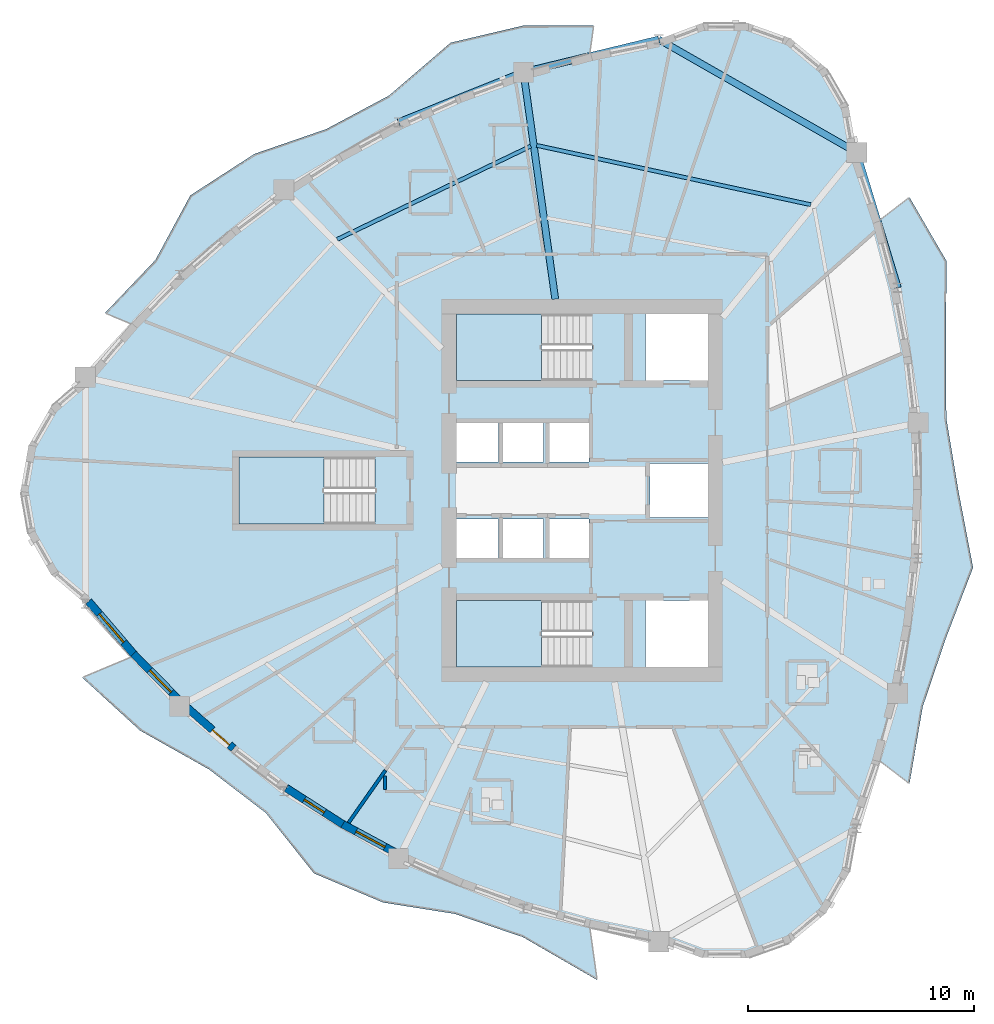
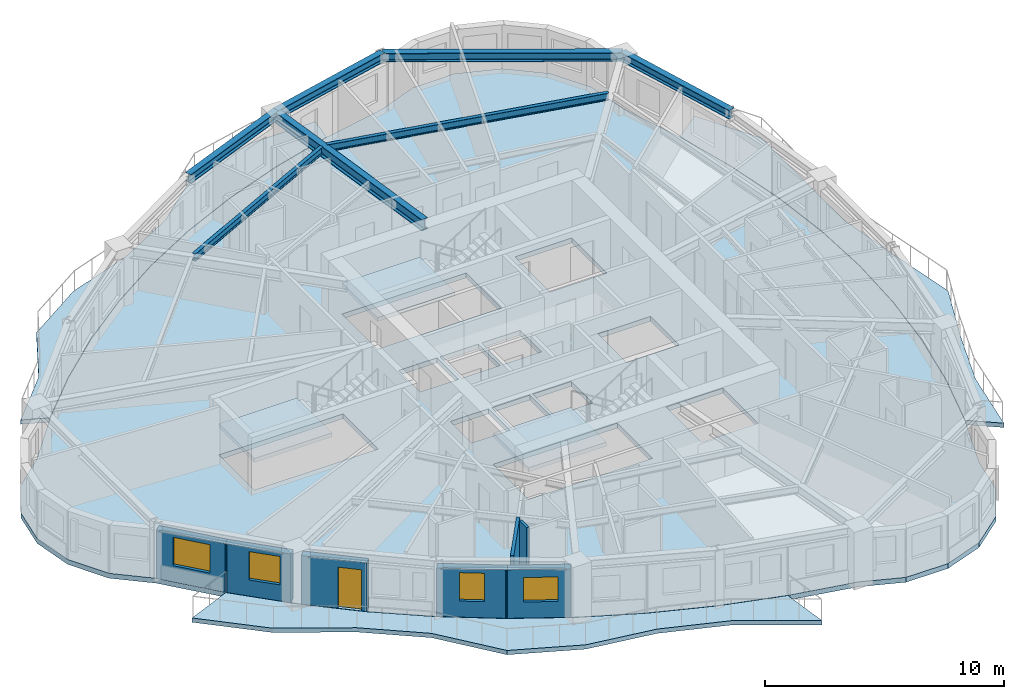
# One storey, part 2 of 13: 7 beams, 7 slabs, 7 walls, 4 windows, 1 door, 5 openings, 3 elements without a shape of their own.
"""IFC4 building model written with IfcOpenShell, lengths in metres."""

from ifc_helpers import new_model, si_unit, direction, frame, frame_2d, origin, origin_2d, place, context, subcontext, project, spatial, polyline, rectangle, i_section, outline, extrude, source, transform, mapped, material, layer, layer_set, material_profile, profile_set, type_object, element, fill, aggregate, save


model = new_model("IFC4")

# Units and contexts
model_context = context("Model", 3, precision=1e-05, world=origin(), true_north=direction((0.0, 1.0)))
body_context = subcontext(model_context, "Body", "Model", "MODEL_VIEW")
ifc_project = project(units=[si_unit("LENGTHUNIT", "METRE"), si_unit("AREAUNIT", "SQUARE_METRE"), si_unit("VOLUMEUNIT", "CUBIC_METRE"), si_unit("PLANEANGLEUNIT", "RADIAN"), si_unit("MASSUNIT", "GRAM", prefix="KILO")], contexts=[model_context])

# Site, building, storey
site_placement = place(None, origin())
site = spatial("IfcSite", under=ifc_project, at=site_placement, CompositionType="ELEMENT")
building_placement = place(site_placement, origin())
building = spatial("IfcBuilding", under=site, at=building_placement, Name="Qafzar Sky-Pleat Residences", CompositionType="ELEMENT")
storey_placement = place(building_placement, frame((0.0, 0.0, 102.39990234375)))
storey = spatial("IfcBuildingStorey", under=building, at=storey_placement, Name="L30", CompositionType="ELEMENT", Elevation=102.39990234375)

# Beams
ifc_material_1 = material(Name="Steel S355", Category="steel")
ifc_material_profile_1 = material_profile(ifc_material_1, i_section(OverallWidth=0.300048828125, OverallDepth=0.449951171875, WebThickness=0.013916015625, FlangeThickness=0.02587890625, FilletRadius=0.027099609375, at=origin_2d()), Name="HEB 450")
ifc_profile_set_1 = profile_set([ifc_material_profile_1], Name="Steel S355")
beam_type_1 = type_object("IfcBeamType", Name="BM-SPAN-HEB450", PredefinedType="SPANDREL", material=ifc_profile_set_1)
shared_shape_1 = source(origin(), body_context, "Body", "SweptSolid", [
    extrude(i_section(OverallWidth=0.300048828125, OverallDepth=0.449951171875, WebThickness=0.013916015625, FlangeThickness=0.02587890625, FilletRadius=0.027099609375, at=origin_2d()), origin(), (0.0, 0.0, 1.0), 5.9443359375),
])
beam_1_placement = place(storey_placement, frame((27.761962890625, 44.473876953125, 2.72314453125), z_axis=(-0.927974486614, -0.372643733604, 0.0), x_axis=(0.372643733604, -0.927974486614, 0.0)))
element("IfcBeam", 1, at=beam_1_placement, inside=storey, type_object=beam_type_1, Name="L30 Perimeter Spandrel Beam 15", PredefinedType="SPANDREL", context=body_context, shape_type="MappedRepresentation", body=[
    mapped(shared_shape_1, transform((0.0, 0.0, 0.0), x_axis=(1.0, 0.0, 0.0), y_axis=(0.0, 1.0, 0.0), z_axis=(0.0, 0.0, 1.0), scale=1.0)),
])
shared_shape_2 = source(origin(), body_context, "Body", "SweptSolid", [
    extrude(i_section(OverallWidth=0.300048828125, OverallDepth=0.449951171875, WebThickness=0.013916015625, FlangeThickness=0.02587890625, FilletRadius=0.027099609375, at=origin_2d()), origin(), (0.0, 0.0, 1.0), 6.142333984375),
])
beam_2_placement = place(storey_placement, frame((33.731689453125, 45.919677734375, 2.72314453125), z_axis=(-0.971902480603, -0.235383874126, 0.0), x_axis=(0.235383874126, -0.971902480603, 0.0)))
element("IfcBeam", 2, at=beam_2_placement, inside=storey, type_object=beam_type_1, Name="L30 Perimeter Spandrel Beam 14", PredefinedType="SPANDREL", context=body_context, shape_type="MappedRepresentation", body=[
    mapped(shared_shape_2, transform((0.0, 0.0, 0.0), x_axis=(1.0, 0.0, 0.0), y_axis=(0.0, 1.0, 0.0), z_axis=(0.0, 0.0, 1.0), scale=1.0)),
])
shared_shape_3 = source(origin(), body_context, "Body", "SweptSolid", [
    extrude(i_section(OverallWidth=0.300048828125, OverallDepth=0.449951171875, WebThickness=0.013916015625, FlangeThickness=0.02587890625, FilletRadius=0.027099609375, at=origin_2d()), origin(), (0.0, 0.0, 1.0), 10.072509765625),
])
beam_3_placement = place(storey_placement, frame((42.4775390625, 40.92333984375, 2.72314453125), z_axis=(-0.868298326114, 0.496042353905, 0.0), x_axis=(-0.496042353905, -0.868298326114, 0.0)))
element("IfcBeam", 3, at=beam_3_placement, inside=storey, type_object=beam_type_1, Name="L30 Perimeter Spandrel Beam 13", PredefinedType="SPANDREL", context=body_context, shape_type="MappedRepresentation", body=[
    mapped(shared_shape_3, transform((0.0, 0.0, 0.0), x_axis=(1.0, 0.0, 0.0), y_axis=(0.0, 1.0, 0.0), z_axis=(0.0, 0.0, 1.0), scale=1.0)),
])
shared_shape_4 = source(origin(), body_context, "Body", "SweptSolid", [
    extrude(i_section(OverallWidth=0.300048828125, OverallDepth=0.449951171875, WebThickness=0.013916015625, FlangeThickness=0.02587890625, FilletRadius=0.027099609375, at=origin_2d()), origin(), (0.0, 0.0, 1.0), 6.239013671875),
])
beam_4_placement = place(storey_placement, frame((44.292236328125, 34.9541015625, 2.72314453125), z_axis=(-0.290864189028, 0.956764351103, 0.0), x_axis=(-0.956764351103, -0.290864189028, 0.0)))
element("IfcBeam", 4, at=beam_4_placement, inside=storey, type_object=beam_type_1, Name="L30 Perimeter Spandrel Beam 12", PredefinedType="SPANDREL", context=body_context, shape_type="MappedRepresentation", body=[
    mapped(shared_shape_4, transform((0.0, 0.0, 0.0), x_axis=(1.0, 0.0, 0.0), y_axis=(0.0, 1.0, 0.0), z_axis=(0.0, 0.0, 1.0), scale=1.0)),
])
ifc_material_profile_2 = material_profile(ifc_material_1, i_section(OverallWidth=0.300048828125, OverallDepth=0.550048828125, WebThickness=0.014892578125, FlangeThickness=0.029052734375, FilletRadius=0.027099609375, at=origin_2d()), Name="HEB 550")
ifc_profile_set_2 = profile_set([ifc_material_profile_2], Name="Steel S355")
beam_type_2 = type_object("IfcBeamType", Name="BM-GIRD-HEB550", PredefinedType="BEAM", material=ifc_profile_set_2)
shared_shape_5 = source(origin(), body_context, "Body", "SweptSolid", [
    extrude(i_section(OverallWidth=0.300048828125, OverallDepth=0.550048828125, WebThickness=0.014892578125, FlangeThickness=0.029052734375, FilletRadius=0.027099609375, at=origin_2d()), origin(), (0.0, 0.0, 1.0), 10.121826171875),
])
beam_5_placement = place(storey_placement, frame((27.761962890625, 44.473876953125, 2.673095703125), z_axis=(0.138739631442, -0.99032889217, 0.0), x_axis=(0.99032889217, 0.138739631442, 0.0)))
element("IfcBeam", 5, at=beam_5_placement, inside=storey, type_object=beam_type_2, Name="L30 Radial Floor Girder 15", PredefinedType="BEAM", context=body_context, shape_type="MappedRepresentation", body=[
    mapped(shared_shape_5, transform((0.0, 0.0, 0.0), x_axis=(1.0, 0.0, 0.0), y_axis=(0.0, 1.0, 0.0), z_axis=(0.0, 0.0, 1.0), scale=1.0)),
])
ifc_material_profile_3 = material_profile(ifc_material_1, i_section(OverallWidth=0.169921875, OverallDepth=0.360107421875, WebThickness=0.008056640625, FlangeThickness=0.0126953125, FilletRadius=0.01806640625, at=origin_2d()), Name="IPE 360")
ifc_profile_set_3 = profile_set([ifc_material_profile_3], Name="Steel S355")
beam_type_3 = type_object("IfcBeamType", Name="BM-JST-IPE360", PredefinedType="JOIST", material=ifc_profile_set_3)
shared_shape_6 = source(origin(), body_context, "Body", "SweptSolid", [
    extrude(i_section(OverallWidth=0.169921875, OverallDepth=0.360107421875, WebThickness=0.008056640625, FlangeThickness=0.0126953125, FilletRadius=0.01806640625, at=origin_2d()), origin(), (0.0, 0.0, 1.0), 12.3857421875),
])
beam_6_placement = place(storey_placement, frame((40.44873046875, 38.617919921875, 2.76806640625), z_axis=(-0.977372880671, 0.211523644371, 0.0), x_axis=(-0.211523644371, -0.977372880671, 0.0)))
element("IfcBeam", 6, at=beam_6_placement, inside=storey, type_object=beam_type_3, Name="L30 Outer Secondary Floor Joist 7", PredefinedType="JOIST", context=body_context, shape_type="MappedRepresentation", body=[
    mapped(shared_shape_6, transform((0.0, 0.0, 0.0), x_axis=(1.0, 0.0, 0.0), y_axis=(0.0, 1.0, 0.0), z_axis=(0.0, 0.0, 1.0), scale=1.0)),
])
shared_shape_7 = source(origin(), body_context, "Body", "SweptSolid", [
    extrude(i_section(OverallWidth=0.169921875, OverallDepth=0.360107421875, WebThickness=0.008056640625, FlangeThickness=0.0126953125, FilletRadius=0.01806640625, at=origin_2d()), origin(), (0.0, 0.0, 1.0), 9.49658203125),
])
beam_7_placement = place(storey_placement, frame((28.089599609375, 41.20751953125, 2.76806640625), z_axis=(-0.900871742124, -0.434085365155, 0.0), x_axis=(0.434085365155, -0.900871742124, 0.0)))
element("IfcBeam", 7, at=beam_7_placement, inside=storey, type_object=beam_type_3, Name="L30 Outer Secondary Floor Joist 8", PredefinedType="JOIST", context=body_context, shape_type="MappedRepresentation", body=[
    mapped(shared_shape_7, transform((0.0, 0.0, 0.0), x_axis=(1.0, 0.0, 0.0), y_axis=(0.0, 1.0, 0.0), z_axis=(0.0, 0.0, 1.0), scale=1.0)),
])

# Slabs
ifc_material_2 = material(Name="Concrete C40/50", Category="concrete")
ifc_layer_1 = layer(ifc_material_2, 0.219970703125)
ifc_layer_set_1 = layer_set([ifc_layer_1], Name="Concrete C40/50")
slab_type_1 = type_object("IfcSlabType", Name="SLAB-BAL-220", PredefinedType="USERDEFINED", material=ifc_layer_set_1)
slab_1_placement = place(storey_placement, frame((0.0, 0.0, -0.219970703125)))
element("IfcSlab", 8, at=slab_1_placement, inside=storey, type_object=slab_type_1, Name="L30 Pleated Stone Balcony 1", ObjectType="BALCONY", PredefinedType="USERDEFINED", context=body_context, shape_type="SweptSolid", body=[
    extrude(outline(polyline([(44.302734375, 17.040283203125), (44.87060546875, 20.026611328125), (45.211181640625, 23.01318359375), (45.324951171875, 26.0), (45.211181640625, 28.98681640625), (44.87060546875, 31.973388671875), (44.302734375, 34.959716796875), (43.5078125, 37.94580078125), (44.805419921875, 38.945556640625), (46.439208984375, 36.134033203125), (46.414794921875, 32.52001953125), (46.43115234375, 29.198486328125), (46.962890625, 26.0), (47.61328125, 22.596435546875), (46.414794921875, 19.47998046875), (45.3876953125, 16.44384765625), (44.805419921875, 13.054443359375), (43.5078125, 14.05419921875), (44.302734375, 17.040283203125)])), origin(), (0.0, 0.0, 1.0), 0.219970703125),
])
slab_2_placement = place(storey_placement, frame((0.0, 0.0, -0.219970703125)))
element("IfcSlab", 9, at=slab_2_placement, inside=storey, type_object=slab_type_1, Name="L30 Pleated Stone Balcony 2", ObjectType="BALCONY", PredefinedType="USERDEFINED", context=body_context, shape_type="SweptSolid", body=[
    extrude(outline(polyline([(27.76171875, 44.48583984375), (24.9453125, 43.474365234375), (22.241943359375, 42.27001953125), (19.652099609375, 40.873046875), (17.17578125, 39.283447265625), (14.813232421875, 37.501220703125), (12.564453125, 35.5263671875), (10.42919921875, 33.35888671875), (9.287353515625, 33.837158203125), (11.510986328125, 36.176513671875), (13.056640625, 39.033203125), (15.888427734375, 40.86328125), (19.046142578125, 41.95263671875), (21.828857421875, 43.437255859375), (24.5439453125, 45.770263671875), (27.735595703125, 46.523681640625), (30.86279296875, 46.531005859375), (30.69189453125, 45.304931640625), (27.76171875, 44.48583984375)])), origin(), (0.0, 0.0, 1.0), 0.219970703125),
])
slab_3_placement = place(storey_placement, frame((0.0, 0.0, -0.219970703125)))
element("IfcSlab", 10, at=slab_3_placement, inside=storey, type_object=slab_type_1, Name="L30 Pleated Stone Balcony 3", ObjectType="BALCONY", PredefinedType="USERDEFINED", context=body_context, shape_type="SweptSolid", body=[
    extrude(outline(polyline([(12.564453125, 16.4736328125), (14.813232421875, 14.498779296875), (17.17578125, 12.716552734375), (19.652099609375, 11.126953125), (22.241943359375, 9.72998046875), (24.9453125, 8.525634765625), (27.76171875, 7.51416015625), (30.69189453125, 6.695068359375), (31.013916015625, 4.38671875), (27.745849609375, 6.276123046875), (24.73193359375, 7.30615234375), (21.56201171875, 7.80859375), (18.51123046875, 9.094482421875), (16.393798828125, 11.7568359375), (13.88037109375, 13.685302734375), (10.830078125, 15.4033203125), (8.279541015625, 17.74072265625), (10.42919921875, 18.64111328125), (12.564453125, 16.4736328125)])), origin(), (0.0, 0.0, 1.0), 0.219970703125),
])
ifc_layer_2 = layer(ifc_material_2, 0.25)
ifc_layer_set_2 = layer_set([ifc_layer_2], Name="Concrete C40/50")
slab_type_2 = type_object("IfcSlabType", Name="SLAB-FLR-250", PredefinedType="FLOOR", material=ifc_layer_set_2)
slab_4_placement = place(storey_placement, frame((0.0, 0.0, -0.25)))
element("IfcSlab", 11, at=slab_4_placement, inside=storey, type_object=slab_type_2, Name="L30 Structural Floor Slab", PredefinedType="FLOOR", context=body_context, shape_type="SweptSolid", body=[
    extrude(outline(polyline([(8.41943359375, 30.996337890625), (6.899658203125, 29.701171875), (5.908935546875, 27.967041015625), (5.565185546875, 26.0), (5.908935546875, 24.032958984375), (6.899658203125, 22.298828125), (8.41943359375, 21.003662109375), (10.4404296875, 18.645751953125), (12.57470703125, 16.47998046875), (14.822265625, 14.5068359375), (17.18359375, 12.725830078125), (19.657958984375, 11.137451171875), (22.245849609375, 9.7412109375), (24.947265625, 8.53759765625), (27.761962890625, 7.526123046875), (30.690185546875, 6.70703125), (33.731689453125, 6.080322265625), (35.626953125, 5.37255859375), (37.64990234375, 5.35888671875), (39.5546875, 6.04052734375), (41.109130859375, 7.3349609375), (42.124755859375, 9.084716796875), (42.4775390625, 11.07666015625), (43.498291015625, 14.061279296875), (44.292236328125, 17.0458984375), (44.859375, 20.03076171875), (45.199462890625, 23.015380859375), (45.31298828125, 26.0), (45.199462890625, 28.984619140625), (44.859375, 31.96923828125), (44.292236328125, 34.9541015625), (43.498291015625, 37.938720703125), (42.4775390625, 40.92333984375), (42.124755859375, 42.915283203125), (41.109130859375, 44.6650390625), (39.5546875, 45.95947265625), (37.64990234375, 46.64111328125), (35.626953125, 46.62744140625), (33.731689453125, 45.919677734375), (30.690185546875, 45.29296875), (27.761962890625, 44.473876953125), (24.947265625, 43.46240234375), (22.245849609375, 42.2587890625), (19.657958984375, 40.862548828125), (17.18359375, 39.274169921875), (14.822265625, 37.4931640625), (12.57470703125, 35.52001953125), (10.4404296875, 33.354248046875), (8.41943359375, 30.996337890625)]), holes=[polyline([(30.797119140625, 21.14990234375), (24.800048828125, 21.14990234375), (24.800048828125, 18.199951171875), (30.797119140625, 18.199951171875), (30.797119140625, 21.14990234375)]), polyline([(30.797119140625, 33.800048828125), (24.800048828125, 33.800048828125), (24.800048828125, 30.85009765625), (30.797119140625, 30.85009765625), (30.797119140625, 33.800048828125)]), polyline([(21.197021484375, 27.47509765625), (15.199951171875, 27.47509765625), (15.199951171875, 24.52490234375), (21.197021484375, 24.52490234375), (21.197021484375, 27.47509765625)]), polyline([(24.800048828125, 22.949951171875), (26.64990234375, 22.949951171875), (26.64990234375, 24.75), (24.800048828125, 24.75), (24.800048828125, 22.949951171875)]), polyline([(26.800048828125, 22.949951171875), (28.64990234375, 22.949951171875), (28.64990234375, 24.75), (26.800048828125, 24.75), (26.800048828125, 22.949951171875)]), polyline([(28.800048828125, 22.949951171875), (30.64990234375, 22.949951171875), (30.64990234375, 24.75), (28.800048828125, 24.75), (28.800048828125, 22.949951171875)]), polyline([(24.800048828125, 27.25), (26.64990234375, 27.25), (26.64990234375, 29.050048828125), (24.800048828125, 29.050048828125), (24.800048828125, 27.25)]), polyline([(26.800048828125, 27.25), (28.64990234375, 27.25), (28.64990234375, 29.050048828125), (26.800048828125, 29.050048828125), (26.800048828125, 27.25)]), polyline([(28.800048828125, 27.25), (30.64990234375, 27.25), (30.64990234375, 29.050048828125), (28.800048828125, 29.050048828125), (28.800048828125, 27.25)]), polyline([(33.14990234375, 18.199951171875), (35.89990234375, 18.199951171875), (35.89990234375, 21.14990234375), (33.14990234375, 21.14990234375), (33.14990234375, 18.199951171875)]), polyline([(33.14990234375, 30.85009765625), (35.89990234375, 30.85009765625), (35.89990234375, 33.800048828125), (33.14990234375, 33.800048828125), (33.14990234375, 30.85009765625)]), polyline([(33.35009765625, 24.800048828125), (35.89990234375, 24.800048828125), (35.89990234375, 27.199951171875), (33.35009765625, 27.199951171875), (33.35009765625, 24.800048828125)])]), origin(), (0.0, 0.0, 1.0), 0.25),
])

# Stair, slab
stair_type = type_object("IfcStairType", Name="STAIR-H320", PredefinedType="HALF_TURN_STAIR", material=ifc_material_2)
stair_1_placement = place(storey_placement, origin())
stair_1 = element("IfcStair", 12, at=stair_1_placement, inside=storey, type_object=stair_type, Name="L30 Protected Exit Stair ST1", PredefinedType="HALF_TURN_STAIR")
ifc_layer_3 = layer(ifc_material_2, 0.199951171875)
ifc_layer_set_3 = layer_set([ifc_layer_3], Name="Concrete C40/50")
slab_type_3 = type_object("IfcSlabType", Name="SLAB-LANDING-200", PredefinedType="LANDING", material=ifc_layer_set_3)
slab_5_placement = place(storey_placement, frame((0.0, 0.0, 1.400146484375)))
slab_5 = element("IfcSlab", 13, at=slab_5_placement, type_object=slab_type_3, Name="ST1 landing 1", PredefinedType="LANDING", context=body_context, shape_type="SweptSolid", body=[
    extrude(outline(polyline([(28.56005859375, 21.14990234375), (24.800048828125, 21.14990234375), (24.800048828125, 18.199951171875), (28.56005859375, 18.199951171875), (28.56005859375, 21.14990234375)])), origin(), (0.0, 0.0, 1.0), 0.199951171875),
])
aggregate(stair_1, [slab_5])

stair_2_placement = place(storey_placement, origin())
stair_2 = element("IfcStair", 14, at=stair_2_placement, inside=storey, type_object=stair_type, Name="L30 Protected Exit Stair ST2", PredefinedType="HALF_TURN_STAIR")
slab_6_placement = place(storey_placement, frame((0.0, 0.0, 1.400146484375)))
slab_6 = element("IfcSlab", 15, at=slab_6_placement, type_object=slab_type_3, Name="ST2 landing 1", PredefinedType="LANDING", context=body_context, shape_type="SweptSolid", body=[
    extrude(outline(polyline([(28.56005859375, 33.800048828125), (24.800048828125, 33.800048828125), (24.800048828125, 30.85009765625), (28.56005859375, 30.85009765625), (28.56005859375, 33.800048828125)])), origin(), (0.0, 0.0, 1.0), 0.199951171875),
])
aggregate(stair_2, [slab_6])

stair_3_placement = place(storey_placement, origin())
stair_3 = element("IfcStair", 16, at=stair_3_placement, inside=storey, type_object=stair_type, Name="L30 Protected Exit Stair ST3", PredefinedType="HALF_TURN_STAIR")
slab_7_placement = place(storey_placement, frame((0.0, 0.0, 1.400146484375)))
slab_7 = element("IfcSlab", 17, at=slab_7_placement, type_object=slab_type_3, Name="ST3 landing 1", PredefinedType="LANDING", context=body_context, shape_type="SweptSolid", body=[
    extrude(outline(polyline([(18.9599609375, 27.47509765625), (15.199951171875, 27.47509765625), (15.199951171875, 24.52490234375), (18.9599609375, 24.52490234375), (18.9599609375, 27.47509765625)])), origin(), (0.0, 0.0, 1.0), 0.199951171875),
])
aggregate(stair_3, [slab_7])

# Walls
ifc_material_3 = material(Name="Acoustic gypsum plasterboard partition", Category="gypsum")
ifc_layer_4 = layer(ifc_material_3, 0.14501953125)
ifc_layer_set_4 = layer_set([ifc_layer_4], Name="Acoustic gypsum plasterboard partition")
wall_type_1 = type_object("IfcWallType", Name="PART-UNIT-145", PredefinedType="PARTITIONING", material=ifc_layer_set_4)
wall_1_placement = place(storey_placement, frame((20.04443359375, 11.333984375, 0.0), z_axis=(0.0, 0.0, 1.0), x_axis=(0.575027113175, 0.818134352728, 0.0)))
element("IfcWall", 18, at=wall_1_placement, inside=storey, type_object=wall_type_1, Name="L30 Partition Wall PART-L30-PW-054", PredefinedType="PARTITIONING", context=body_context, shape_type="SweptSolid", body=[
    extrude(rectangle(XDim=2.81494140625, YDim=0.14501953125, at=frame_2d((1.407470703125, 0.0))), origin(), (0.0, 0.0, 1.0), 2.9501953125),
])
ifc_material_4 = material(Name="Moisture-resistant gypsum partition", Category="gypsum")
ifc_layer_5 = layer(ifc_material_4, 0.1298828125)
ifc_layer_set_5 = layer_set([ifc_layer_5], Name="Moisture-resistant gypsum partition")
wall_type_2 = type_object("IfcWallType", Name="PART-WET-130", PredefinedType="PARTITIONING", material=ifc_layer_set_5)
wall_2_placement = place(storey_placement, frame((21.64794921875, 12.7890625, 0.0), z_axis=(0.0, 0.0, 1.0), x_axis=(0.0, 1.0, 0.0)))
element("IfcWall", 19, at=wall_2_placement, inside=storey, type_object=wall_type_2, Name="L30 Partition Wall PART-L30-PW-085", PredefinedType="PARTITIONING", context=body_context, shape_type="SweptSolid", body=[
    extrude(rectangle(XDim=0.600341796875, YDim=0.1298828125, at=frame_2d((0.30029296875, 0.0))), origin(), (0.0, 0.0, 1.0), 2.9501953125),
])

# Wall, opening, window
ifc_material_5 = material(Name="Precast concrete C40/50 with honed Riyadh limestone", Category="concrete")
ifc_layer_6 = layer(ifc_material_5, 0.340087890625)
ifc_layer_set_6 = layer_set([ifc_layer_6], Name="Precast concrete C40/50 with honed Riyadh limestone")
wall_type_3 = type_object("IfcWallType", Name="WALL-EXT-340", PredefinedType="SOLIDWALL", material=ifc_layer_set_6)
wall_3_placement = place(storey_placement, frame((8.5615234375, 21.09912109375, 0.0), z_axis=(0.0, 0.0, 1.0), x_axis=(0.650778499588, -0.75926763692, 0.0)))
wall_3 = element("IfcWall", 20, at=wall_3_placement, inside=storey, type_object=wall_type_3, Name="L30 Limestone Facade Wall 7", PredefinedType="SOLIDWALL", context=body_context, shape_type="SweptSolid", body=[
    extrude(rectangle(XDim=3.12353515625, YDim=0.340087890625, at=frame_2d((1.561767578125, 0.0))), origin(), (0.0, 0.0, 1.0), 2.47998046875),
])
opening_1_placement = place(wall_3_placement, frame((0.726806640625, 0.0, 0.820068359375)))
opening_1 = element("IfcOpeningElement", 21, at=opening_1_placement, cuts=wall_3, Name="Opening WN-02", PredefinedType="OPENING", context=body_context, shape_type="SweptSolid", body=[
    extrude(rectangle(XDim=1.64990234375, YDim=1.449951171875, at=frame_2d((0.824951171875, 0.72509765625))), frame((0.0, 0.18017578125, 0.0), z_axis=(0.0, -1.0, 0.0), x_axis=(1.0, 0.0, 0.0)), (0.0, 0.0, 1.0), 0.360107421875),
])
ifc_material_6 = material(Name="Solar-control low-E glass in bronze aluminium frame", Category="glass")
window_type_1 = type_object("IfcWindowType", Name="WIN-02", PartitioningType="DOUBLE_PANEL_VERTICAL", PredefinedType="WINDOW", material=ifc_material_6)
shared_shape_8 = source(origin(), body_context, "Body", "SweptSolid", [
    extrude(rectangle(XDim=1.64990234375, YDim=1.449951171875, at=frame_2d((0.824951171875, 0.72509765625))), frame((0.0, 0.030029296875, 0.0), z_axis=(0.0, -1.0, 0.0), x_axis=(1.0, 0.0, 0.0)), (0.0, 0.0, 1.0), 0.06005859375),
])
window_1_placement = place(opening_1_placement, origin())
window_1 = element("IfcWindow", 22, at=window_1_placement, inside=storey, type_object=window_type_1, Name="L30 Punched Facade Window 07", OverallHeight=1.449951171875, OverallWidth=1.64990234375, PartitioningType="SINGLE_PANEL", PredefinedType="WINDOW", context=body_context, shape_type="MappedRepresentation", body=[
    mapped(shared_shape_8, transform((0.0, 0.0, 0.0), x_axis=(1.0, 0.0, 0.0), y_axis=(0.0, 1.0, 0.0), z_axis=(0.0, 0.0, 1.0), scale=1.0)),
])
fill(opening_1, window_1)

wall_4_placement = place(storey_placement, frame((10.534912109375, 18.7919921875, 0.0), z_axis=(0.0, 0.0, 1.0), x_axis=(0.701902141766, -0.7122733909, 0.0)))
wall_4 = element("IfcWall", 23, at=wall_4_placement, inside=storey, type_object=wall_type_3, Name="L30 Limestone Facade Wall 8", PredefinedType="SOLIDWALL", context=body_context, shape_type="SweptSolid", body=[
    extrude(rectangle(XDim=2.848388671875, YDim=0.340087890625, at=frame_2d((1.42431640625, 0.0))), origin(), (0.0, 0.0, 1.0), 2.47998046875),
])
opening_2_placement = place(wall_4_placement, frame((1.029052734375, 0.0, 0.820068359375)))
opening_2 = element("IfcOpeningElement", 24, at=opening_2_placement, cuts=wall_4, Name="Opening WN-04", PredefinedType="OPENING", context=body_context, shape_type="SweptSolid", body=[
    extrude(rectangle(XDim=1.35009765625, YDim=1.449951171875, at=frame_2d((0.675048828125, 0.72509765625))), frame((0.0, 0.18017578125, 0.0), z_axis=(0.0, -1.0, 0.0), x_axis=(1.0, 0.0, 0.0)), (0.0, 0.0, 1.0), 0.360107421875),
])
window_type_2 = type_object("IfcWindowType", Name="WIN-04", PartitioningType="SINGLE_PANEL", PredefinedType="WINDOW", material=ifc_material_6)
shared_shape_9 = source(origin(), body_context, "Body", "SweptSolid", [
    extrude(rectangle(XDim=1.35009765625, YDim=1.449951171875, at=frame_2d((0.675048828125, 0.72509765625))), frame((0.0, 0.030029296875, 0.0), z_axis=(0.0, -1.0, 0.0), x_axis=(1.0, 0.0, 0.0)), (0.0, 0.0, 1.0), 0.06005859375),
])
window_2_placement = place(opening_2_placement, origin())
window_2 = element("IfcWindow", 25, at=window_2_placement, inside=storey, type_object=window_type_2, Name="L30 Punched Facade Window 08-2", OverallHeight=1.449951171875, OverallWidth=1.35009765625, PartitioningType="SINGLE_PANEL", PredefinedType="WINDOW", context=body_context, shape_type="MappedRepresentation", body=[
    mapped(shared_shape_9, transform((0.0, 0.0, 0.0), x_axis=(1.0, 0.0, 0.0), y_axis=(0.0, 1.0, 0.0), z_axis=(0.0, 0.0, 1.0), scale=1.0)),
])
fill(opening_2, window_2)

# Wall, opening, door
wall_5_placement = place(storey_placement, frame((12.859619140625, 16.4560546875, 0.0), z_axis=(0.0, 0.0, 1.0), x_axis=(0.751500349331, -0.659732692047, 0.0)))
wall_5 = element("IfcWall", 26, at=wall_5_placement, inside=storey, type_object=wall_type_3, Name="L30 Limestone Facade Wall 9", PredefinedType="SOLIDWALL", context=body_context, shape_type="SweptSolid", body=[
    extrude(rectangle(XDim=2.798828125, YDim=0.340087890625, at=frame_2d((1.3994140625, 0.0))), origin(), (0.0, 0.0, 1.0), 2.47998046875),
])
opening_3_placement = place(wall_5_placement, frame((1.558837890625, 0.0, 0.0)))
opening_3 = element("IfcOpeningElement", 27, at=opening_3_placement, cuts=wall_5, Name="Opening ED-05", PredefinedType="OPENING", context=body_context, shape_type="SweptSolid", body=[
    extrude(rectangle(XDim=1.0, YDim=2.10009765625, at=frame_2d((0.5, 1.050048828125))), frame((0.0, 0.18017578125, 0.0), z_axis=(0.0, -1.0, 0.0), x_axis=(1.0, 0.0, 0.0)), (0.0, 0.0, 1.0), 0.360107421875),
])
ifc_material_7 = material(Name="Glazed bronze aluminium door", Category="aluminium")
door_type = type_object("IfcDoorType", Name="DR-BAL-1000", OperationType="NOTDEFINED", PredefinedType="DOOR", material=ifc_material_7)
shared_shape_10 = source(origin(), body_context, "Body", "SweptSolid", [
    extrude(rectangle(XDim=1.0, YDim=2.10009765625, at=frame_2d((0.5, 1.050048828125))), frame((0.0, 0.02490234375, 0.0), z_axis=(0.0, -1.0, 0.0), x_axis=(1.0, 0.0, 0.0)), (0.0, 0.0, 1.0), 0.050048828125),
])
door_placement = place(opening_3_placement, origin())
door = element("IfcDoor", 28, at=door_placement, inside=storey, type_object=door_type, Name="L30 Glazed Balcony Door 3", OperationType="SINGLE_SWING_LEFT", OverallHeight=2.10009765625, OverallWidth=1.0, PredefinedType="DOOR", context=body_context, shape_type="MappedRepresentation", body=[
    mapped(shared_shape_10, transform((0.0, 0.0, 0.0), x_axis=(1.0, 0.0, 0.0), y_axis=(0.0, 1.0, 0.0), z_axis=(0.0, 0.0, 1.0), scale=1.0)),
])
fill(opening_3, door)

# Wall, opening, window
wall_6_placement = place(storey_placement, frame((17.292236328125, 12.858154296875, 0.0), z_axis=(0.0, 0.0, 1.0), x_axis=(0.841524200167, -0.540219418878, 0.0)))
wall_6 = element("IfcWall", 29, at=wall_6_placement, inside=storey, type_object=wall_type_3, Name="L30 Limestone Facade Wall 11", PredefinedType="SOLIDWALL", context=body_context, shape_type="SweptSolid", body=[
    extrude(rectangle(XDim=2.958251953125, YDim=0.340087890625, at=frame_2d((1.47900390625, 0.0))), origin(), (0.0, 0.0, 1.0), 2.47998046875),
])
opening_4_placement = place(wall_6_placement, frame((0.944091796875, 0.0, 0.820068359375)))
opening_4 = element("IfcOpeningElement", 30, at=opening_4_placement, cuts=wall_6, Name="Opening WN-06", PredefinedType="OPENING", context=body_context, shape_type="SweptSolid", body=[
    extrude(rectangle(XDim=1.050048828125, YDim=1.449951171875, at=frame_2d((0.52490234375, 0.72509765625))), frame((0.0, 0.18017578125, 0.0), z_axis=(0.0, -1.0, 0.0), x_axis=(1.0, 0.0, 0.0)), (0.0, 0.0, 1.0), 0.360107421875),
])
window_type_3 = type_object("IfcWindowType", Name="WIN-06", PartitioningType="SINGLE_PANEL", PredefinedType="WINDOW", material=ifc_material_6)
shared_shape_11 = source(origin(), body_context, "Body", "SweptSolid", [
    extrude(rectangle(XDim=1.050048828125, YDim=1.449951171875, at=frame_2d((0.52490234375, 0.72509765625))), frame((0.0, 0.030029296875, 0.0), z_axis=(0.0, -1.0, 0.0), x_axis=(1.0, 0.0, 0.0)), (0.0, 0.0, 1.0), 0.06005859375),
])
window_3_placement = place(opening_4_placement, origin())
window_3 = element("IfcWindow", 31, at=window_3_placement, inside=storey, type_object=window_type_3, Name="L30 Punched Facade Window 11", OverallHeight=1.449951171875, OverallWidth=1.050048828125, PartitioningType="SINGLE_PANEL", PredefinedType="WINDOW", context=body_context, shape_type="MappedRepresentation", body=[
    mapped(shared_shape_11, transform((0.0, 0.0, 0.0), x_axis=(1.0, 0.0, 0.0), y_axis=(0.0, 1.0, 0.0), z_axis=(0.0, 0.0, 1.0), scale=1.0)),
])
fill(opening_4, window_3)

wall_7_placement = place(storey_placement, frame((19.705322265625, 11.30517578125, 0.0), z_axis=(0.0, 0.0, 1.0), x_axis=(0.880065774925, -0.474851799834, 0.0)))
wall_7 = element("IfcWall", 32, at=wall_7_placement, inside=storey, type_object=wall_type_3, Name="L30 Limestone Facade Wall 12", PredefinedType="SOLIDWALL", context=body_context, shape_type="SweptSolid", body=[
    extrude(rectangle(XDim=2.74853515625, YDim=0.340087890625, at=frame_2d((1.374267578125, 0.0))), origin(), (0.0, 0.0, 1.0), 2.47998046875),
])
opening_5_placement = place(wall_7_placement, frame((0.755126953125, 0.0, 0.820068359375)))
opening_5 = element("IfcOpeningElement", 33, at=opening_5_placement, cuts=wall_7, Name="Opening WN-15", PredefinedType="OPENING", context=body_context, shape_type="SweptSolid", body=[
    extrude(rectangle(XDim=1.449951171875, YDim=1.25, at=frame_2d((0.72509765625, 0.625))), frame((0.0, 0.18017578125, 0.0), z_axis=(0.0, -1.0, 0.0), x_axis=(1.0, 0.0, 0.0)), (0.0, 0.0, 1.0), 0.360107421875),
])
window_type_4 = type_object("IfcWindowType", Name="WIN-15", PartitioningType="SINGLE_PANEL", PredefinedType="WINDOW", material=ifc_material_6)
shared_shape_12 = source(origin(), body_context, "Body", "SweptSolid", [
    extrude(rectangle(XDim=1.449951171875, YDim=1.25, at=frame_2d((0.72509765625, 0.625))), frame((0.0, 0.030029296875, 0.0), z_axis=(0.0, -1.0, 0.0), x_axis=(1.0, 0.0, 0.0)), (0.0, 0.0, 1.0), 0.06005859375),
])
window_4_placement = place(opening_5_placement, origin())
window_4 = element("IfcWindow", 34, at=window_4_placement, inside=storey, type_object=window_type_4, Name="L30 Punched Facade Window 12", OverallHeight=1.25, OverallWidth=1.449951171875, PartitioningType="SINGLE_PANEL", PredefinedType="WINDOW", context=body_context, shape_type="MappedRepresentation", body=[
    mapped(shared_shape_12, transform((0.0, 0.0, 0.0), x_axis=(1.0, 0.0, 0.0), y_axis=(0.0, 1.0, 0.0), z_axis=(0.0, 0.0, 1.0), scale=1.0)),
])
fill(opening_5, window_4)

save(model, "model.ifc")
